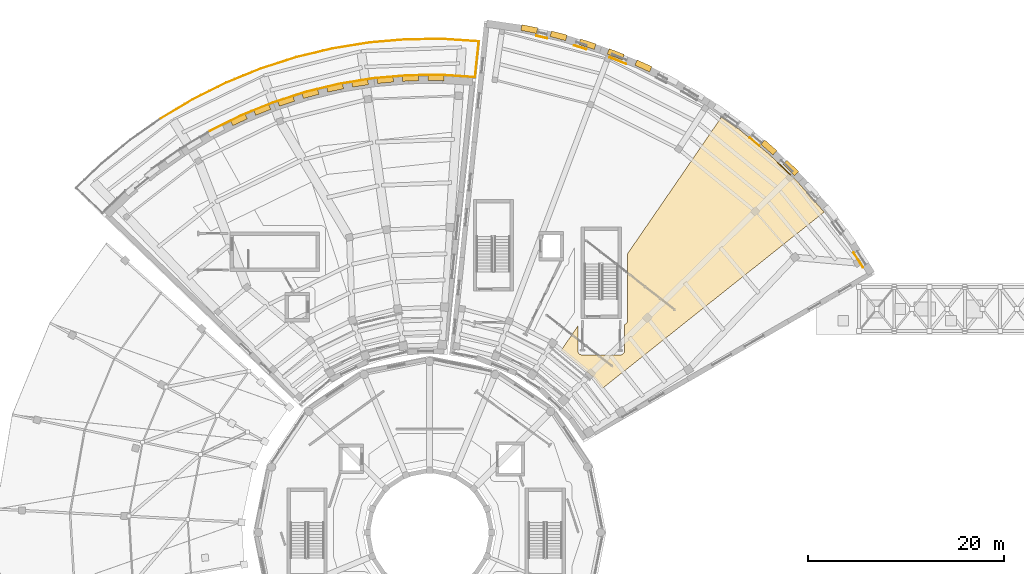
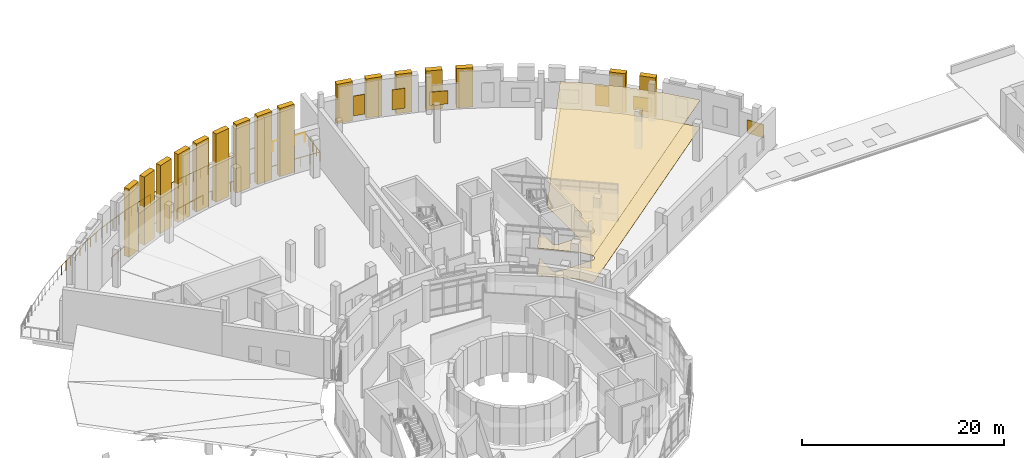
# One storey, part 48 of 49: 24 coverings, 18 railings.
"""IFC4 building model written with IfcOpenShell, lengths in metres."""

import ifcopenshell
import ifcopenshell.guid

model = None  # the IFC model being written
_history = None  # IfcOwnerHistory: only IFC2X3 demands one
_inside = {}  # id of a spatial element -> (the spatial element, [elements in it])
_under = {}  # id of a project, library or spatial element -> (it, [spatial elements below it])
_declared = {}  # id of a project -> (the project, [libraries it declares])
_typed = {}  # id of a type object -> (the type object, [elements of that type])
_made_of = {}  # id of a material, layer set ... -> (it, [elements and type objects made of it])


def new_model(schema):
    """Start an empty IFC model of exactly this schema.

    Asked for "IFC4X3", IfcOpenShell would pick the latest addendum, in which some entities
    have other attributes; the version numbers below select the first issue.
    IFC2X3 requires an IfcOwnerHistory on every rooted entity: one is made here for all.
    """
    global model, _history
    if schema == "IFC4X3":
        model = ifcopenshell.file(schema_version=(4, 3, 0, 0))
    else:
        model = ifcopenshell.file(schema=schema)
    _inside.clear()
    _under.clear()
    _declared.clear()
    _typed.clear()
    _made_of.clear()
    _history = None
    if model.schema == "IFC2X3":
        org = make("IfcOrganization", Name="unknown")
        user = make(
            "IfcPersonAndOrganization",
            ThePerson=make("IfcPerson", FamilyName="unknown"),
            TheOrganization=org,
        )
        app = make(
            "IfcApplication",
            ApplicationDeveloper=org,
            Version="unknown",
            ApplicationFullName="unknown",
            ApplicationIdentifier="unknown",
        )
        _history = make(
            "IfcOwnerHistory",
            OwningUser=user,
            OwningApplication=app,
            ChangeAction="ADDED",
            CreationDate=0,
        )
    return model


def make(cls, **values):
    """One entity of the class cls with the attributes given. An attribute that is None is left unset."""
    return model.create_entity(
        cls, **{name: value for name, value in values.items() if value is not None}
    )


def rooted(cls, **values):
    """An entity with a GlobalId (a new one), such as an element, a storey or a relation."""
    return make(cls, GlobalId=ifcopenshell.guid.new(), OwnerHistory=_history, **values)


def si_unit(unit_type, name, prefix=None):
    """IfcSIUnit, for example si_unit("LENGTHUNIT", "METRE", prefix="MILLI")."""
    return make("IfcSIUnit", UnitType=unit_type, Prefix=prefix, Name=name)


def assignment(units):
    """IfcUnitAssignment: the units of a project."""
    return None if units is None else make("IfcUnitAssignment", Units=units)


def point(xyz):
    """IfcCartesianPoint."""
    return None if xyz is None else make("IfcCartesianPoint", Coordinates=xyz)


def direction(xyz):
    """IfcDirection."""
    return None if xyz is None else make("IfcDirection", DirectionRatios=xyz)


def frame(location, z_axis=None, x_axis=None):
    """IfcAxis2Placement3D, a coordinate frame: its origin and axes. An axis left out is left unset."""
    return make(
        "IfcAxis2Placement3D",
        Location=point(location),
        Axis=direction(z_axis),
        RefDirection=direction(x_axis),
    )


def frame_2d(location, x_axis=None):
    """IfcAxis2Placement2D, a coordinate frame in the plane: its origin and x axis."""
    return make(
        "IfcAxis2Placement2D", Location=point(location), RefDirection=direction(x_axis)
    )


def origin():
    """The frame at (0, 0, 0) with its axes left unset."""
    return frame((0.0, 0.0, 0.0))


def origin_2d():
    """The frame at (0, 0) in the plane with its x axis left unset."""
    return frame_2d((0.0, 0.0))


def place(relative_to, where):
    """IfcLocalPlacement: puts the frame where relative to a parent placement (None: the world)."""
    return make(
        "IfcLocalPlacement", PlacementRelTo=relative_to, RelativePlacement=where
    )


def context(
    kind, dimensions, precision=None, world=None, true_north=None, identifier=None
):
    """IfcGeometricRepresentationContext, for example the 3D "Model" context."""
    return make(
        "IfcGeometricRepresentationContext",
        ContextIdentifier=identifier,
        ContextType=kind,
        CoordinateSpaceDimension=dimensions,
        Precision=precision,
        WorldCoordinateSystem=world,
        TrueNorth=true_north,
    )


def subcontext(parent, identifier, kind, view, scale=None):
    """IfcGeometricRepresentationSubContext, for example "Body" below "Model"."""
    return make(
        "IfcGeometricRepresentationSubContext",
        ContextIdentifier=identifier,
        ContextType=kind,
        ParentContext=parent,
        TargetScale=scale,
        TargetView=view,
    )


def project(units=None, contexts=None):
    """IfcProject with its units and contexts."""
    return rooted(
        "IfcProject",
        Name="project",
        RepresentationContexts=contexts,
        UnitsInContext=assignment(units),
    )


def spatial(cls, under=None, at=None, **own):
    """A site, building, storey or space (cls), placed at a placement, below another one or the project."""
    s = rooted(cls, ObjectPlacement=at, **own)
    if under is not None:
        _under.setdefault(under.id(), (under, []))[1].append(s)
    return s


def polyline(points):
    """IfcPolyline through the points."""
    return make("IfcPolyline", Points=[point(p) for p in points])


def profile(cls, at=None, kind="AREA", **sizes):
    """A parametric profile (cls). Its sizes go by their IFC names, for example OverallWidth=200.0."""
    return make(cls, ProfileType=kind, Position=at, **sizes)


def rectangle(**sizes):
    """IfcRectangleProfileDef."""
    return profile("IfcRectangleProfileDef", **sizes)


def circle(**sizes):
    """IfcCircleProfileDef."""
    return profile("IfcCircleProfileDef", **sizes)


def outline(outer, holes=None, kind="AREA"):
    """IfcArbitraryClosedProfileDef: a profile drawn as a closed curve; with holes, ...WithVoids."""
    if holes is None:
        return make("IfcArbitraryClosedProfileDef", ProfileType=kind, OuterCurve=outer)
    return make(
        "IfcArbitraryProfileDefWithVoids",
        ProfileType=kind,
        OuterCurve=outer,
        InnerCurves=holes,
    )


def extrude(swept, where, along, depth):
    """IfcExtrudedAreaSolid: the profile swept, set in the frame where, extruded along a direction by depth."""
    return make(
        "IfcExtrudedAreaSolid",
        SweptArea=swept,
        Position=where,
        ExtrudedDirection=direction(along),
        Depth=depth,
    )


def shape(context_of_items, identifier, shape_type, items):
    """IfcShapeRepresentation: the items that make up one representation, for example the "Body"."""
    return make(
        "IfcShapeRepresentation",
        ContextOfItems=context_of_items,
        RepresentationIdentifier=identifier,
        RepresentationType=shape_type,
        Items=items,
    )


def material(Name=None, Category=None):
    """IfcMaterial."""
    return make("IfcMaterial", Name=Name, Category=Category)


def layer(
    of_material, thickness, ventilated=None, Name=None, Category=None, Priority=None
):
    """IfcMaterialLayer: one layer of a wall or slab, of a material (None: an air gap)."""
    return make(
        "IfcMaterialLayer",
        Material=of_material,
        LayerThickness=thickness,
        IsVentilated=ventilated,
        Name=Name,
        Category=Category,
        Priority=Priority,
    )


def layer_set(layers, Name=None):
    """IfcMaterialLayerSet."""
    return make("IfcMaterialLayerSet", MaterialLayers=layers, LayerSetName=Name)


def made_of(thing, what):
    """Note that an element or type object is made of a material, layer set ...; save() writes the relation."""
    if what is not None:
        _made_of.setdefault(what.id(), (what, []))[1].append(thing)
    return thing


def type_object(cls, material=None, **own):
    """A type object (cls), such as IfcWallType, which elements share."""
    return made_of(rooted(cls, **own), material)


def element(
    cls,
    number,
    at=None,
    inside=None,
    cuts=None,
    type_object=None,
    material=None,
    context=None,
    identifier="Body",
    shape_type=None,
    held_by="IfcProductDefinitionShape",
    body=None,
    shapes=None,
    **own,
):
    """One element of the class cls, such as IfcWall. Its Tag is "e" and its number.

    at: its placement. inside: the storey or other place that contains it. cuts: it is an
    opening in that element (IfcRelVoidsElement). A single representation is given by context,
    identifier, shape_type and body (its items); several are given by shapes. held_by: the class
    of the entity that holds the representations. save() writes the other relations.
    """
    e = rooted(cls, Tag="e%d" % number, ObjectPlacement=at, **own)
    if body is not None:
        shapes = [shape(context, identifier, shape_type, body)]
    if shapes is not None:
        e.Representation = make(held_by, Representations=shapes)
    if inside is not None:
        _inside.setdefault(inside.id(), (inside, []))[1].append(e)
    if cuts is not None:
        rooted(
            "IfcRelVoidsElement", RelatingBuildingElement=cuts, RelatedOpeningElement=e
        )
    if type_object is not None:
        _typed.setdefault(type_object.id(), (type_object, []))[1].append(e)
    return made_of(e, material)


def aggregate(whole, parts):
    """IfcRelAggregates: a whole, such as a stair, and the parts it consists of."""
    return rooted("IfcRelAggregates", RelatingObject=whole, RelatedObjects=parts)


def save(model, path):
    """Write the relations noted so far, then the file.

    IfcRelAggregates (storeys below a building ...), IfcRelContainedInSpatialStructure (elements
    in a storey), IfcRelDefinesByType, IfcRelAssociatesMaterial and IfcRelDeclares: one each for
    every whole, place, type object, material and project.
    """
    for whole, parts in _under.values():
        aggregate(whole, parts)
    for where, things in _inside.values():
        rooted(
            "IfcRelContainedInSpatialStructure",
            RelatedElements=things,
            RelatingStructure=where,
        )
    for kind, things in _typed.values():
        rooted("IfcRelDefinesByType", RelatedObjects=things, RelatingType=kind)
    for what, things in _made_of.values():
        rooted("IfcRelAssociatesMaterial", RelatedObjects=things, RelatingMaterial=what)
    for by, libraries in _declared.values():
        rooted("IfcRelDeclares", RelatingContext=by, RelatedDefinitions=libraries)
    model.write(path)


model = new_model("IFC4")

# Units and contexts
model_context = context("Model", 3, precision=1e-05, world=origin(), true_north=direction((0.0, 1.0)))
body_context = subcontext(model_context, "Body", "Model", "MODEL_VIEW")
ifc_project = project(units=[si_unit("LENGTHUNIT", "METRE"), si_unit("AREAUNIT", "SQUARE_METRE"), si_unit("VOLUMEUNIT", "CUBIC_METRE"), si_unit("PLANEANGLEUNIT", "RADIAN"), si_unit("MASSUNIT", "GRAM", prefix="KILO")], contexts=[model_context])

# Site, building, storey
site_placement = place(None, origin())
site = spatial("IfcSite", under=ifc_project, at=site_placement, CompositionType="ELEMENT")
building_placement = place(site_placement, origin())
building = spatial("IfcBuilding", under=site, at=building_placement, Name="Soyqirgoq Riverine Aquarium", CompositionType="ELEMENT")
storey_placement = place(building_placement, frame((0.0, 0.0, 15.0)))
storey = spatial("IfcBuildingStorey", under=building, at=storey_placement, Name="L04", CompositionType="ELEMENT", Elevation=15.0)

# Coverings
ifc_material_1 = material(Name="Seamless slip-resistant marine epoxy flooring", Category="concrete")
ifc_layer_1 = layer(ifc_material_1, 0.02001953125)
ifc_layer_set_1 = layer_set([ifc_layer_1], Name="Seamless slip-resistant marine epoxy flooring")
covering_type_1 = type_object("IfcCoveringType", Name="EpoxyWetFloorFinish_20", PredefinedType="FLOORING", material=ifc_layer_set_1)
covering_1_placement = place(storey_placement, origin())
element("IfcCovering", 1, at=covering_1_placement, inside=storey, type_object=covering_type_1, Name="Wet Biology Laboratory Floor Finish", PredefinedType="FLOORING", context=body_context, shape_type="SweptSolid", body=[
    extrude(outline(polyline([(71.110107421875, 75.56005859375), (71.112060546875, 75.51611328125), (71.118896484375, 75.471923828125), (71.12890625, 75.428955078125), (71.14404296875, 75.387939453125), (71.1630859375, 75.347900390625), (71.18603515625, 75.31005859375), (71.2119140625, 75.27490234375), (71.241943359375, 75.241943359375), (71.27490234375, 75.2119140625), (71.31005859375, 75.18603515625), (71.347900390625, 75.1630859375), (71.387939453125, 75.14404296875), (71.428955078125, 75.12890625), (71.471923828125, 75.118896484375), (71.51611328125, 75.112060546875), (71.56005859375, 75.110107421875), (75.43994140625, 75.110107421875), (75.48388671875, 75.112060546875), (75.528076171875, 75.118896484375), (75.571044921875, 75.12890625), (75.612060546875, 75.14404296875), (75.652099609375, 75.1630859375), (75.68994140625, 75.18603515625), (75.72509765625, 75.2119140625), (75.758056640625, 75.241943359375), (75.7880859375, 75.27490234375), (75.81396484375, 75.31005859375), (75.8369140625, 75.347900390625), (75.85595703125, 75.387939453125), (75.87109375, 75.428955078125), (75.881103515625, 75.471923828125), (75.887939453125, 75.51611328125), (75.889892578125, 75.56005859375), (75.889892578125, 78.222900390625), (75.922119140625, 78.23388671875), (75.9619140625, 78.2529296875), (76.0, 78.27587890625), (76.034912109375, 78.302001953125), (76.068115234375, 78.33203125), (76.097900390625, 78.364990234375), (76.1240234375, 78.39990234375), (76.14697265625, 78.43798828125), (76.166015625, 78.47802734375), (76.180908203125, 78.51904296875), (76.19091796875, 78.56201171875), (76.197998046875, 78.60595703125), (76.199951171875, 78.64990234375), (76.199951171875, 85.4560546875), (85.781005859375, 99.39501953125), (87.56396484375, 98.135009765625), (90.694091796875, 95.531982421875), (93.610107421875, 92.69091796875), (96.242919921875, 89.68798828125), (73.592041015625, 71.6708984375), (72.739990234375, 72.81201171875), (72.7060546875, 72.85302734375), (72.6669921875, 72.888916015625), (69.4189453125, 75.590087890625), (71.110107421875, 78.050048828125), (71.110107421875, 75.56005859375)])), origin(), (0.0, 0.0, 1.0), 0.02001953125),
])
ifc_material_2 = material(Name="Anodised aluminium marine moisture-resistant ceiling", Category="aluminium")
ifc_layer_2 = layer(ifc_material_2, 0.0400390625)
ifc_layer_set_2 = layer_set([ifc_layer_2], Name="Anodised aluminium marine moisture-resistant ceiling")
covering_type_2 = type_object("IfcCoveringType", Name="MoistureCeiling_40", PredefinedType="CEILING", material=ifc_layer_set_2)
covering_2_placement = place(storey_placement, frame((0.0, 0.0, 3.260009765625)))
element("IfcCovering", 2, at=covering_2_placement, inside=storey, type_object=covering_type_2, Name="Wet Biology Laboratory Suspended Ceiling", PredefinedType="CEILING", context=body_context, shape_type="SweptSolid", body=[
    extrude(outline(polyline([(71.110107421875, 75.56005859375), (71.112060546875, 75.51611328125), (71.118896484375, 75.471923828125), (71.12890625, 75.428955078125), (71.14404296875, 75.387939453125), (71.1630859375, 75.347900390625), (71.18603515625, 75.31005859375), (71.2119140625, 75.27490234375), (71.241943359375, 75.241943359375), (71.27490234375, 75.2119140625), (71.31005859375, 75.18603515625), (71.347900390625, 75.1630859375), (71.387939453125, 75.14404296875), (71.428955078125, 75.12890625), (71.471923828125, 75.118896484375), (71.51611328125, 75.112060546875), (71.56005859375, 75.110107421875), (75.43994140625, 75.110107421875), (75.48388671875, 75.112060546875), (75.528076171875, 75.118896484375), (75.571044921875, 75.12890625), (75.612060546875, 75.14404296875), (75.652099609375, 75.1630859375), (75.68994140625, 75.18603515625), (75.72509765625, 75.2119140625), (75.758056640625, 75.241943359375), (75.7880859375, 75.27490234375), (75.81396484375, 75.31005859375), (75.8369140625, 75.347900390625), (75.85595703125, 75.387939453125), (75.87109375, 75.428955078125), (75.881103515625, 75.471923828125), (75.887939453125, 75.51611328125), (75.889892578125, 75.56005859375), (75.889892578125, 78.222900390625), (75.922119140625, 78.23388671875), (75.9619140625, 78.2529296875), (76.0, 78.27587890625), (76.034912109375, 78.302001953125), (76.068115234375, 78.33203125), (76.097900390625, 78.364990234375), (76.1240234375, 78.39990234375), (76.14697265625, 78.43798828125), (76.166015625, 78.47802734375), (76.180908203125, 78.51904296875), (76.19091796875, 78.56201171875), (76.197998046875, 78.60595703125), (76.199951171875, 78.64990234375), (76.199951171875, 85.4560546875), (85.781005859375, 99.39501953125), (87.56396484375, 98.135009765625), (90.694091796875, 95.531982421875), (93.610107421875, 92.69091796875), (96.242919921875, 89.68798828125), (73.592041015625, 71.6708984375), (72.739990234375, 72.81201171875), (72.7060546875, 72.85302734375), (72.6669921875, 72.888916015625), (69.4189453125, 75.590087890625), (71.110107421875, 78.050048828125), (71.110107421875, 75.56005859375)])), origin(), (0.0, 0.0, 1.0), 0.0400390625),
])
ifc_material_3 = material(Name="Anodised extruded aluminium sunshade", Category="aluminium")
covering_type_3 = type_object("IfcCoveringType", Name="SolarShadingLouvre_450", PredefinedType="USERDEFINED", material=ifc_material_3)
covering_3_placement = place(storey_placement, frame((67.436279296875, 107.541748046875, 0.75), z_axis=(0.0, 0.0, 1.0), x_axis=(0.975342320509, -0.220697435022, 0.0)))
element("IfcCovering", 3, at=covering_3_placement, inside=storey, type_object=covering_type_3, Name="V5 L04 Travertine Niche Solar Shade 0096", ObjectType="SOLAR_SHADING", PredefinedType="USERDEFINED", context=body_context, shape_type="SweptSolid", body=[
    extrude(rectangle(XDim=1.139892578125, YDim=0.080078125, at=origin_2d()), origin(), (0.0, 0.0, 1.0), 2.39990234375),
])
covering_4_placement = place(storey_placement, frame((71.36669921875, 106.48876953125, 0.75), z_axis=(0.0, 0.0, 1.0), x_axis=(0.955019944457, -0.296541574976, 0.0)))
element("IfcCovering", 4, at=covering_4_placement, inside=storey, type_object=covering_type_3, Name="V5 L04 Travertine Niche Solar Shade 0097", ObjectType="SOLAR_SHADING", PredefinedType="USERDEFINED", context=body_context, shape_type="SweptSolid", body=[
    extrude(rectangle(XDim=1.340087890625, YDim=0.080078125, at=origin_2d()), origin(), (0.0, 0.0, 1.0), 2.39990234375),
])
covering_5_placement = place(storey_placement, frame((75.2021484375, 105.130615234375, 0.75), z_axis=(0.0, 0.0, 1.0), x_axis=(0.928809552872, -0.37055743751, 0.0)))
element("IfcCovering", 5, at=covering_5_placement, inside=storey, type_object=covering_type_3, Name="V5 L04 Travertine Niche Solar Shade 0098", ObjectType="SOLAR_SHADING", PredefinedType="USERDEFINED", context=body_context, shape_type="SweptSolid", body=[
    extrude(rectangle(XDim=1.840087890625, YDim=0.080078125, at=origin_2d()), origin(), (0.0, 0.0, 1.0), 1.60009765625),
])
covering_6_placement = place(storey_placement, frame((89.135498046875, 96.841064453125, 0.75), z_axis=(0.0, 0.0, 1.0), x_axis=(0.768841832073, -0.639439001981, 0.0)))
element("IfcCovering", 6, at=covering_6_placement, inside=storey, type_object=covering_type_3, Name="V5 L04 Travertine Niche Solar Shade 0102", ObjectType="SOLAR_SHADING", PredefinedType="USERDEFINED", context=body_context, shape_type="SweptSolid", body=[
    extrude(rectangle(XDim=1.340087890625, YDim=0.080078125, at=origin_2d()), origin(), (0.0, 0.0, 1.0), 2.39990234375),
])
for number, where, z_axis, x_axis, name in (
    (7, (92.1591796875, 94.118408203125, 0.75), (0.0, 0.0, 1.0), (0.716301943425, -0.697790459842, 0.0), "V5 L04 Travertine Niche Solar Shade 0103"),
    (8, (99.72900390625, 84.803955078125, 0.75), (0.0, 0.0, 1.0), (0.533614515916, -0.845727821704, 0.0), "V5 L04 Travertine Niche Solar Shade 0106"),
):
    element("IfcCovering", number, at=place(storey_placement, frame(where, z_axis=z_axis, x_axis=x_axis)), inside=storey, type_object=covering_type_3, Name=name, ObjectType="SOLAR_SHADING", PredefinedType="USERDEFINED", context=body_context, shape_type="SweptSolid", body=[
        extrude(rectangle(XDim=1.840087890625, YDim=0.080078125, at=origin_2d()), origin(), (0.0, 0.0, 1.0), 1.60009765625),
    ])

# Railings
ifc_material_4 = material(Name="Laminated safety glass and stainless steel balustrade", Category="steel")
railing_type = type_object("IfcRailingType", Name="TerraceGuard_1150", PredefinedType="BALUSTRADE", material=ifc_material_4)
railing_1_placement = place(storey_placement, frame((53.82763671875, 103.639404296875, 0.0)))
element("IfcRailing", 9, at=railing_1_placement, inside=storey, type_object=railing_type, Name="V4 L04 Terrace Perimeter Balustrade 032", PredefinedType="BALUSTRADE", context=body_context, shape_type="SweptSolid", body=[
    extrude(circle(Radius=0.02392578125, at=origin_2d()), frame((0.0, 0.0, 1.1259765625), z_axis=(-0.996446330145, -0.084230108274, 0.0), x_axis=(0.084230108274, -0.996446330145, 0.0)), (0.0, 0.0, 1.0), 3.5302734375),
    extrude(circle(Radius=0.02099609375, at=origin_2d()), origin(), (0.0, 0.0, 1.0), 1.101806640625),
    extrude(circle(Radius=0.02099609375, at=origin_2d()), frame((-1.172607421875, -0.09912109375, 0.0)), (0.0, 0.0, 1.0), 1.101806640625),
    extrude(circle(Radius=0.02099609375, at=origin_2d()), frame((-2.34521484375, -0.1982421875, 0.0)), (0.0, 0.0, 1.0), 1.101806640625),
    extrude(circle(Radius=0.02099609375, at=origin_2d()), frame((-3.517822265625, -0.29736328125, 0.0)), (0.0, 0.0, 1.0), 1.101806640625),
])
railing_2_placement = place(storey_placement, frame((50.309814453125, 103.342041015625, 0.0)))
element("IfcRailing", 10, at=railing_2_placement, inside=storey, type_object=railing_type, Name="V4 L04 Terrace Perimeter Balustrade 033", PredefinedType="BALUSTRADE", context=body_context, shape_type="SweptSolid", body=[
    extrude(circle(Radius=0.02392578125, at=origin_2d()), frame((0.0, 0.0, 1.1259765625), z_axis=(-0.987234807313, -0.15927157697, 0.0), x_axis=(0.15927157697, -0.987234807313, 0.0)), (0.0, 0.0, 1.0), 3.5302734375),
    extrude(circle(Radius=0.02099609375, at=origin_2d()), origin(), (0.0, 0.0, 1.0), 1.101806640625),
    extrude(circle(Radius=0.02099609375, at=origin_2d()), frame((-1.16162109375, -0.1875, 0.0)), (0.0, 0.0, 1.0), 1.101806640625),
    extrude(circle(Radius=0.02099609375, at=origin_2d()), frame((-2.323486328125, -0.374755859375, 0.0)), (0.0, 0.0, 1.0), 1.101806640625),
    extrude(circle(Radius=0.02099609375, at=origin_2d()), frame((-3.485107421875, -0.562255859375, 0.0)), (0.0, 0.0, 1.0), 1.101806640625),
])
railing_3_placement = place(storey_placement, frame((46.82470703125, 102.77978515625, 0.0)))
element("IfcRailing", 11, at=railing_3_placement, inside=storey, type_object=railing_type, Name="V4 L04 Terrace Perimeter Balustrade 034", PredefinedType="BALUSTRADE", context=body_context, shape_type="SweptSolid", body=[
    extrude(circle(Radius=0.02392578125, at=origin_2d()), frame((0.0, 0.0, 1.1259765625), z_axis=(-0.972365955564, -0.233461877959, 0.0), x_axis=(0.233461877959, -0.972365955564, 0.0)), (0.0, 0.0, 1.0), 3.530517578125),
    extrude(circle(Radius=0.02099609375, at=origin_2d()), origin(), (0.0, 0.0, 1.0), 1.101806640625),
    extrude(circle(Radius=0.02099609375, at=origin_2d()), frame((-1.144287109375, -0.274658203125, 0.0)), (0.0, 0.0, 1.0), 1.101806640625),
    extrude(circle(Radius=0.02099609375, at=origin_2d()), frame((-2.28857421875, -0.549560546875, 0.0)), (0.0, 0.0, 1.0), 1.101806640625),
    extrude(circle(Radius=0.02099609375, at=origin_2d()), frame((-3.432861328125, -0.82421875, 0.0)), (0.0, 0.0, 1.0), 1.101806640625),
])
railing_4_placement = place(storey_placement, frame((43.391845703125, 101.95556640625, 0.0)))
element("IfcRailing", 12, at=railing_4_placement, inside=storey, type_object=railing_type, Name="V4 L04 Terrace Perimeter Balustrade 035", PredefinedType="BALUSTRADE", context=body_context, shape_type="SweptSolid", body=[
    extrude(circle(Radius=0.02392578125, at=origin_2d()), frame((0.0, 0.0, 1.1259765625), z_axis=(-0.951963783736, -0.306210637395, 0.0), x_axis=(0.306210637395, -0.951963783736, 0.0)), (0.0, 0.0, 1.0), 3.530517578125),
    extrude(circle(Radius=0.02099609375, at=origin_2d()), origin(), (0.0, 0.0, 1.0), 1.101806640625),
    extrude(circle(Radius=0.02099609375, at=origin_2d()), frame((-1.120361328125, -0.3603515625, 0.0)), (0.0, 0.0, 1.0), 1.101806640625),
    extrude(circle(Radius=0.02099609375, at=origin_2d()), frame((-2.240478515625, -0.720703125, 0.0)), (0.0, 0.0, 1.0), 1.101806640625),
    extrude(circle(Radius=0.02099609375, at=origin_2d()), frame((-3.36083984375, -1.0810546875, 0.0)), (0.0, 0.0, 1.0), 1.101806640625),
])
railing_5_placement = place(storey_placement, frame((40.031005859375, 100.87451171875, 0.0)))
element("IfcRailing", 13, at=railing_5_placement, inside=storey, type_object=railing_type, Name="V4 L04 Terrace Perimeter Balustrade 036", PredefinedType="BALUSTRADE", context=body_context, shape_type="SweptSolid", body=[
    extrude(circle(Radius=0.02392578125, at=origin_2d()), frame((0.0, 0.0, 1.1259765625), z_axis=(-0.92608251474, -0.377321051484, 0.0), x_axis=(0.377321051484, -0.92608251474, 0.0)), (0.0, 0.0, 1.0), 3.5302734375),
    extrude(circle(Radius=0.02099609375, at=origin_2d()), origin(), (0.0, 0.0, 1.0), 1.101806640625),
    extrude(circle(Radius=0.02099609375, at=origin_2d()), frame((-1.08984375, -0.444091796875, 0.0)), (0.0, 0.0, 1.0), 1.101806640625),
    extrude(circle(Radius=0.02099609375, at=origin_2d()), frame((-2.179443359375, -0.887939453125, 0.0)), (0.0, 0.0, 1.0), 1.101806640625),
    extrude(circle(Radius=0.02099609375, at=origin_2d()), frame((-3.269287109375, -1.33203125, 0.0)), (0.0, 0.0, 1.0), 1.101806640625),
])
railing_6_placement = place(storey_placement, frame((36.76171875, 99.54248046875, 0.0)))
element("IfcRailing", 14, at=railing_6_placement, inside=storey, type_object=railing_type, Name="V4 L04 Terrace Perimeter Balustrade 037", PredefinedType="BALUSTRADE", context=body_context, shape_type="SweptSolid", body=[
    extrude(circle(Radius=0.02392578125, at=origin_2d()), frame((0.0, 0.0, 1.1259765625), z_axis=(-0.894910738987, -0.446245189605, 0.0), x_axis=(0.446245189605, -0.894910738987, 0.0)), (0.0, 0.0, 1.0), 3.530517578125),
    extrude(circle(Radius=0.02099609375, at=origin_2d()), origin(), (0.0, 0.0, 1.0), 1.101806640625),
    extrude(circle(Radius=0.02099609375, at=origin_2d()), frame((-1.05322265625, -0.525146484375, 0.0)), (0.0, 0.0, 1.0), 1.101806640625),
    extrude(circle(Radius=0.02099609375, at=origin_2d()), frame((-2.106201171875, -1.05029296875, 0.0)), (0.0, 0.0, 1.0), 1.101806640625),
    extrude(circle(Radius=0.02099609375, at=origin_2d()), frame((-3.159423828125, -1.575439453125, 0.0)), (0.0, 0.0, 1.0), 1.101806640625),
])
railing_7_placement = place(storey_placement, frame((28.572021484375, 99.2353515625, 0.0)))
element("IfcRailing", 15, at=railing_7_placement, inside=storey, type_object=railing_type, Name="V4 L04 Terrace Perimeter Balustrade 047", PredefinedType="BALUSTRADE", context=body_context, shape_type="SweptSolid", body=[
    extrude(circle(Radius=0.02392578125, at=origin_2d()), frame((0.0, 0.0, 1.1259765625), z_axis=(0.8586729911, 0.512523847596, 0.0), x_axis=(-0.512523847596, 0.8586729911, 0.0)), (0.0, 0.0, 1.0), 3.807861328125),
    extrude(circle(Radius=0.02099609375, at=origin_2d()), origin(), (0.0, 0.0, 1.0), 1.101806640625),
    extrude(circle(Radius=0.02099609375, at=origin_2d()), frame((0.8173828125, 0.48779296875, 0.0)), (0.0, 0.0, 1.0), 1.101806640625),
    extrude(circle(Radius=0.02099609375, at=origin_2d()), frame((1.634765625, 0.975830078125, 0.0)), (0.0, 0.0, 1.0), 1.101806640625),
    extrude(circle(Radius=0.02099609375, at=origin_2d()), frame((2.452392578125, 1.4638671875, 0.0)), (0.0, 0.0, 1.0), 1.101806640625),
    extrude(circle(Radius=0.02099609375, at=origin_2d()), frame((3.269775390625, 1.95166015625, 0.0)), (0.0, 0.0, 1.0), 1.101806640625),
])
railing_8_placement = place(storey_placement, frame((31.841796875, 101.18701171875, 0.0)))
element("IfcRailing", 16, at=railing_8_placement, inside=storey, type_object=railing_type, Name="V4 L04 Terrace Perimeter Balustrade 048", PredefinedType="BALUSTRADE", context=body_context, shape_type="SweptSolid", body=[
    extrude(circle(Radius=0.02392578125, at=origin_2d()), frame((0.0, 0.0, 1.1259765625), z_axis=(0.894939535509, 0.446187435708, 0.0), x_axis=(-0.446187435708, 0.894939535509, 0.0)), (0.0, 0.0, 1.0), 3.807861328125),
    extrude(circle(Radius=0.02099609375, at=origin_2d()), origin(), (0.0, 0.0, 1.0), 1.101806640625),
    extrude(circle(Radius=0.02099609375, at=origin_2d()), frame((0.85205078125, 0.4248046875, 0.0)), (0.0, 0.0, 1.0), 1.101806640625),
    extrude(circle(Radius=0.02099609375, at=origin_2d()), frame((1.703857421875, 0.849609375, 0.0)), (0.0, 0.0, 1.0), 1.101806640625),
    extrude(circle(Radius=0.02099609375, at=origin_2d()), frame((2.5556640625, 1.274169921875, 0.0)), (0.0, 0.0, 1.0), 1.101806640625),
    extrude(circle(Radius=0.02099609375, at=origin_2d()), frame((3.40771484375, 1.698974609375, 0.0)), (0.0, 0.0, 1.0), 1.101806640625),
])
railing_9_placement = place(storey_placement, frame((35.24951171875, 102.885986328125, 0.0)))
element("IfcRailing", 17, at=railing_9_placement, inside=storey, type_object=railing_type, Name="V4 L04 Terrace Perimeter Balustrade 049", PredefinedType="BALUSTRADE", context=body_context, shape_type="SweptSolid", body=[
    extrude(circle(Radius=0.02392578125, at=origin_2d()), frame((0.0, 0.0, 1.1259765625), z_axis=(0.926083232479, 0.377319289888, 0.0), x_axis=(-0.377319289888, 0.926083232479, 0.0)), (0.0, 0.0, 1.0), 3.807861328125),
    extrude(circle(Radius=0.02099609375, at=origin_2d()), origin(), (0.0, 0.0, 1.0), 1.101806640625),
    extrude(circle(Radius=0.02099609375, at=origin_2d()), frame((0.881591796875, 0.359130859375, 0.0)), (0.0, 0.0, 1.0), 1.101806640625),
    extrude(circle(Radius=0.02099609375, at=origin_2d()), frame((1.76318359375, 0.71826171875, 0.0)), (0.0, 0.0, 1.0), 1.101806640625),
    extrude(circle(Radius=0.02099609375, at=origin_2d()), frame((2.644775390625, 1.07763671875, 0.0)), (0.0, 0.0, 1.0), 1.101806640625),
    extrude(circle(Radius=0.02099609375, at=origin_2d()), frame((3.5263671875, 1.436767578125, 0.0)), (0.0, 0.0, 1.0), 1.101806640625),
])
railing_10_placement = place(storey_placement, frame((38.77587890625, 104.32275390625, 0.0)))
element("IfcRailing", 18, at=railing_10_placement, inside=storey, type_object=railing_type, Name="V4 L04 Terrace Perimeter Balustrade 050", PredefinedType="BALUSTRADE", context=body_context, shape_type="SweptSolid", body=[
    extrude(circle(Radius=0.02392578125, at=origin_2d()), frame((0.0, 0.0, 1.1259765625), z_axis=(0.951945809966, 0.306266509577, 0.0), x_axis=(-0.306266509577, 0.951945809966, 0.0)), (0.0, 0.0, 1.0), 3.80810546875),
    extrude(circle(Radius=0.02099609375, at=origin_2d()), origin(), (0.0, 0.0, 1.0), 1.101806640625),
    extrude(circle(Radius=0.02099609375, at=origin_2d()), frame((0.90625, 0.29150390625, 0.0)), (0.0, 0.0, 1.0), 1.101806640625),
    extrude(circle(Radius=0.02099609375, at=origin_2d()), frame((1.8125, 0.5830078125, 0.0)), (0.0, 0.0, 1.0), 1.101806640625),
    extrude(circle(Radius=0.02099609375, at=origin_2d()), frame((2.71875, 0.874755859375, 0.0)), (0.0, 0.0, 1.0), 1.101806640625),
    extrude(circle(Radius=0.02099609375, at=origin_2d()), frame((3.625, 1.166259765625, 0.0)), (0.0, 0.0, 1.0), 1.101806640625),
])
railing_11_placement = place(storey_placement, frame((42.40087890625, 105.489013671875, 0.0)))
element("IfcRailing", 19, at=railing_11_placement, inside=storey, type_object=railing_type, Name="V4 L04 Terrace Perimeter Balustrade 051", PredefinedType="BALUSTRADE", context=body_context, shape_type="SweptSolid", body=[
    extrude(circle(Radius=0.02392578125, at=origin_2d()), frame((0.0, 0.0, 1.1259765625), z_axis=(0.972370421924, 0.23344327484, 0.0), x_axis=(-0.23344327484, 0.972370421924, 0.0)), (0.0, 0.0, 1.0), 3.807861328125),
    extrude(circle(Radius=0.02099609375, at=origin_2d()), origin(), (0.0, 0.0, 1.0), 1.101806640625),
    extrude(circle(Radius=0.02099609375, at=origin_2d()), frame((0.92578125, 0.22216796875, 0.0)), (0.0, 0.0, 1.0), 1.101806640625),
    extrude(circle(Radius=0.02099609375, at=origin_2d()), frame((1.851318359375, 0.4443359375, 0.0)), (0.0, 0.0, 1.0), 1.101806640625),
    extrude(circle(Radius=0.02099609375, at=origin_2d()), frame((2.77685546875, 0.666748046875, 0.0)), (0.0, 0.0, 1.0), 1.101806640625),
    extrude(circle(Radius=0.02099609375, at=origin_2d()), frame((3.70263671875, 0.888916015625, 0.0)), (0.0, 0.0, 1.0), 1.101806640625),
])
railing_12_placement = place(storey_placement, frame((46.103515625, 106.3779296875, 0.0)))
element("IfcRailing", 20, at=railing_12_placement, inside=storey, type_object=railing_type, Name="V4 L04 Terrace Perimeter Balustrade 052", PredefinedType="BALUSTRADE", context=body_context, shape_type="SweptSolid", body=[
    extrude(circle(Radius=0.02392578125, at=origin_2d()), frame((0.0, 0.0, 1.1259765625), z_axis=(0.987226486082, 0.159323147026, 0.0), x_axis=(-0.159323147026, 0.987226486082, 0.0)), (0.0, 0.0, 1.0), 3.807861328125),
    extrude(circle(Radius=0.02099609375, at=origin_2d()), origin(), (0.0, 0.0, 1.0), 1.101806640625),
    extrude(circle(Radius=0.02099609375, at=origin_2d()), frame((0.93994140625, 0.151611328125, 0.0)), (0.0, 0.0, 1.0), 1.101806640625),
    extrude(circle(Radius=0.02099609375, at=origin_2d()), frame((1.879638671875, 0.30322265625, 0.0)), (0.0, 0.0, 1.0), 1.101806640625),
    extrude(circle(Radius=0.02099609375, at=origin_2d()), frame((2.8193359375, 0.455078125, 0.0)), (0.0, 0.0, 1.0), 1.101806640625),
    extrude(circle(Radius=0.02099609375, at=origin_2d()), frame((3.75927734375, 0.606689453125, 0.0)), (0.0, 0.0, 1.0), 1.101806640625),
])
railing_13_placement = place(storey_placement, frame((49.86279296875, 106.984619140625, 0.0)))
element("IfcRailing", 21, at=railing_13_placement, inside=storey, type_object=railing_type, Name="V4 L04 Terrace Perimeter Balustrade 053", PredefinedType="BALUSTRADE", context=body_context, shape_type="SweptSolid", body=[
    extrude(circle(Radius=0.02392578125, at=origin_2d()), frame((0.0, 0.0, 1.1259765625), z_axis=(0.996444653792, 0.084249937268, 0.0), x_axis=(-0.084249937268, 0.996444653792, 0.0)), (0.0, 0.0, 1.0), 3.8076171875),
    extrude(circle(Radius=0.02099609375, at=origin_2d()), origin(), (0.0, 0.0, 1.0), 1.101806640625),
    extrude(circle(Radius=0.02099609375, at=origin_2d()), frame((0.948486328125, 0.080078125, 0.0)), (0.0, 0.0, 1.0), 1.101806640625),
    extrude(circle(Radius=0.02099609375, at=origin_2d()), frame((1.89697265625, 0.160400390625, 0.0)), (0.0, 0.0, 1.0), 1.101806640625),
    extrude(circle(Radius=0.02099609375, at=origin_2d()), frame((2.845703125, 0.24072265625, 0.0)), (0.0, 0.0, 1.0), 1.101806640625),
    extrude(circle(Radius=0.02099609375, at=origin_2d()), frame((3.794189453125, 0.32080078125, 0.0)), (0.0, 0.0, 1.0), 1.101806640625),
])
railing_14_placement = place(storey_placement, frame((53.656982421875, 107.305419921875, 0.0)))
element("IfcRailing", 22, at=railing_14_placement, inside=storey, type_object=railing_type, Name="V4 L04 Terrace Perimeter Balustrade 054", PredefinedType="BALUSTRADE", context=body_context, shape_type="SweptSolid", body=[
    extrude(circle(Radius=0.02392578125, at=origin_2d()), frame((0.0, 0.0, 1.1259765625), z_axis=(0.999961981358, 0.008719853133, 0.0), x_axis=(-0.008719853133, 0.999961981358, 0.0)), (0.0, 0.0, 1.0), 3.807861328125),
    extrude(circle(Radius=0.02099609375, at=origin_2d()), origin(), (0.0, 0.0, 1.0), 1.101806640625),
    extrude(circle(Radius=0.02099609375, at=origin_2d()), frame((0.951904296875, 0.00830078125, 0.0)), (0.0, 0.0, 1.0), 1.101806640625),
    extrude(circle(Radius=0.02099609375, at=origin_2d()), frame((1.90380859375, 0.0166015625, 0.0)), (0.0, 0.0, 1.0), 1.101806640625),
    extrude(circle(Radius=0.02099609375, at=origin_2d()), frame((2.855712890625, 0.02490234375, 0.0)), (0.0, 0.0, 1.0), 1.101806640625),
    extrude(circle(Radius=0.02099609375, at=origin_2d()), frame((3.8076171875, 0.033203125, 0.0)), (0.0, 0.0, 1.0), 1.101806640625),
])
railing_15_placement = place(storey_placement, frame((57.464599609375, 107.338623046875, 0.0)))
element("IfcRailing", 23, at=railing_15_placement, inside=storey, type_object=railing_type, Name="V4 L04 Terrace Perimeter Balustrade 055", PredefinedType="BALUSTRADE", context=body_context, shape_type="SweptSolid", body=[
    extrude(circle(Radius=0.02392578125, at=origin_2d()), frame((0.0, 0.0, 1.1259765625), z_axis=(0.99776385232, -0.066837826146, 0.0), x_axis=(0.066837826146, 0.99776385232, 0.0)), (0.0, 0.0, 1.0), 3.557861328125),
    extrude(circle(Radius=0.02099609375, at=origin_2d()), origin(), (0.0, 0.0, 1.0), 1.101806640625),
    extrude(circle(Radius=0.02099609375, at=origin_2d()), frame((1.183349609375, -0.079345703125, 0.0)), (0.0, 0.0, 1.0), 1.101806640625),
    extrude(circle(Radius=0.02099609375, at=origin_2d()), frame((2.366455078125, -0.158447265625, 0.0)), (0.0, 0.0, 1.0), 1.101806640625),
    extrude(circle(Radius=0.02099609375, at=origin_2d()), frame((3.5498046875, -0.23779296875, 0.0)), (0.0, 0.0, 1.0), 1.101806640625),
])
railing_16_placement = place(storey_placement, frame((61.014404296875, 107.100830078125, 0.0)))
element("IfcRailing", 24, at=railing_16_placement, inside=storey, type_object=railing_type, Name="V4 L04 Terrace Perimeter Balustrade 056", PredefinedType="BALUSTRADE", context=body_context, shape_type="SweptSolid", body=[
    extrude(circle(Radius=0.02392578125, at=origin_2d()), frame((0.0, 0.0, 1.1259765625), z_axis=(-0.10451509167, -0.994523300689, 0.0), x_axis=(0.994523300689, -0.10451509167, 0.0)), (0.0, 0.0, 1.0), 3.669677734375),
    extrude(circle(Radius=0.02099609375, at=origin_2d()), origin(), (0.0, 0.0, 1.0), 1.101806640625),
    extrude(circle(Radius=0.02099609375, at=origin_2d()), frame((-0.095947265625, -0.912353515625, 0.0)), (0.0, 0.0, 1.0), 1.101806640625),
    extrude(circle(Radius=0.02099609375, at=origin_2d()), frame((-0.19189453125, -1.82470703125, 0.0)), (0.0, 0.0, 1.0), 1.101806640625),
    extrude(circle(Radius=0.02099609375, at=origin_2d()), frame((-0.28759765625, -2.7373046875, 0.0)), (0.0, 0.0, 1.0), 1.101806640625),
    extrude(circle(Radius=0.02099609375, at=origin_2d()), frame((-0.383544921875, -3.649658203125, 0.0)), (0.0, 0.0, 1.0), 1.101806640625),
])
railing_17_placement = place(storey_placement, frame((60.630859375, 103.451171875, 0.0)))
element("IfcRailing", 25, at=railing_17_placement, inside=storey, type_object=railing_type, Name="V4 L04 Terrace Perimeter Balustrade 057", PredefinedType="BALUSTRADE", context=body_context, shape_type="SweptSolid", body=[
    extrude(circle(Radius=0.02392578125, at=origin_2d()), frame((0.0, 0.0, 1.1259765625), z_axis=(-0.99776403119, 0.066835155901, 0.0), x_axis=(-0.066835155901, -0.99776403119, 0.0)), (0.0, 0.0, 1.0), 3.2802734375),
    extrude(circle(Radius=0.02099609375, at=origin_2d()), origin(), (0.0, 0.0, 1.0), 1.101806640625),
    extrude(circle(Radius=0.02099609375, at=origin_2d()), frame((-1.091064453125, 0.072998046875, 0.0)), (0.0, 0.0, 1.0), 1.101806640625),
    extrude(circle(Radius=0.02099609375, at=origin_2d()), frame((-2.181884765625, 0.146240234375, 0.0)), (0.0, 0.0, 1.0), 1.101806640625),
    extrude(circle(Radius=0.02099609375, at=origin_2d()), frame((-3.27294921875, 0.21923828125, 0.0)), (0.0, 0.0, 1.0), 1.101806640625),
])
railing_18_placement = place(storey_placement, frame((57.35791015625, 103.67041015625, 0.0)))
element("IfcRailing", 26, at=railing_18_placement, inside=storey, type_object=railing_type, Name="V4 L04 Terrace Perimeter Balustrade 058", PredefinedType="BALUSTRADE", context=body_context, shape_type="SweptSolid", body=[
    extrude(circle(Radius=0.02392578125, at=origin_2d()), frame((0.0, 0.0, 1.1259765625), z_axis=(-0.999961433011, -0.008782510511, 0.0), x_axis=(0.008782510511, -0.999961433011, 0.0)), (0.0, 0.0, 1.0), 3.530517578125),
    extrude(circle(Radius=0.02099609375, at=origin_2d()), origin(), (0.0, 0.0, 1.0), 1.101806640625),
    extrude(circle(Radius=0.02099609375, at=origin_2d()), frame((-1.1767578125, -0.01025390625, 0.0)), (0.0, 0.0, 1.0), 1.101806640625),
    extrude(circle(Radius=0.02099609375, at=origin_2d()), frame((-2.353515625, -0.020751953125, 0.0)), (0.0, 0.0, 1.0), 1.101806640625),
    extrude(circle(Radius=0.02099609375, at=origin_2d()), frame((-3.5302734375, -0.031005859375, 0.0)), (0.0, 0.0, 1.0), 1.101806640625),
])

# Coverings
ifc_material_5 = material(Name="Honed Uzbek travertine limestone vertical niche pier", Category="masonry")
covering_type_4 = type_object("IfcCoveringType", Name="TravertineNichePier_550", PredefinedType="CLADDING", material=ifc_material_5)
for number, where, z_axis, x_axis, name in (
    (27, (56.647705078125, 103.3955078125, 0.0), (0.0, 0.0, 1.0), (0.013962180339, 0.999902524009, 0.0), "V4 L04 Travertine Vertical Niche Pier 104"),
    (28, (54.056884765625, 103.359375, 0.0), (0.0, 0.0, 1.0), (-0.041875653729, 0.999122830099, 0.0), "V4 L04 Travertine Vertical Niche Pier 105"),
    (29, (51.47216796875, 103.1787109375, 0.0), (0.0, 0.0, 1.0), (-0.097582899759, 0.995227399982, 0.0), "V4 L04 Travertine Vertical Niche Pier 106"),
    (30, (48.901611328125, 102.853759765625, 0.0), (0.0, 0.0, 1.0), (-0.152985836284, 0.988228381447, 0.0), "V4 L04 Travertine Vertical Niche Pier 107"),
    (31, (46.352783203125, 102.385986328125, 0.0), (0.0, 0.0, 1.0), (-0.207911690818, 0.978147600734, 0.0), "V4 L04 Travertine Vertical Niche Pier 108"),
    (32, (43.83447265625, 101.77685546875, 0.0), (0.0, 0.0, 1.0), (-0.262189178641, 0.965016494472, 0.0), "V4 L04 Travertine Vertical Niche Pier 109"),
    (33, (41.35400390625, 101.02783203125, 0.0), (0.0, 0.0, 1.0), (-0.315649036947, 0.948876011644, 0.0), "V4 L04 Travertine Vertical Niche Pier 110"),
    (34, (38.9189453125, 100.1416015625, 0.0), (0.0, 0.0, 1.0), (-0.368124552685, 0.929776485888, 0.0), "V4 L04 Travertine Vertical Niche Pier 111"),
    (35, (36.537353515625, 99.120849609375, 0.0), (0.0, 0.0, 1.0), (-0.419452082446, 0.907777478533, 0.0), "V4 L04 Travertine Vertical Niche Pier 112"),
):
    element("IfcCovering", number, at=place(storey_placement, frame(where, z_axis=z_axis, x_axis=x_axis)), inside=storey, type_object=covering_type_4, Name=name, PredefinedType="CLADDING", context=body_context, shape_type="SweptSolid", body=[
        extrude(rectangle(XDim=0.60009765625, YDim=1.64990234375, at=origin_2d()), origin(), (0.0, 0.0, 1.0), 8.25),
    ])
for number, where, z_axis, x_axis, name in (
    (36, (92.84765625, 94.185546875, 0.0), (0.0, 0.0, 1.0), (0.703890763003, 0.710308238555, 0.0), "V5 L04 Travertine Vertical Niche Pier 160"),
    (37, (90.609130859375, 96.277587890625, 0.0), (0.0, 0.0, 1.0), (0.661049986881, 0.750341865315, 0.0), "V5 L04 Travertine Vertical Niche Pier 161"),
    (38, (77.80517578125, 104.5927734375, 0.0), (0.0, 0.0, 1.0), (0.416598150168, 0.909090744247, 0.0), "V5 L04 Travertine Vertical Niche Pier 166"),
    (39, (74.9833984375, 105.786865234375, 0.0), (0.0, 0.0, 1.0), (0.362600698822, 0.931944597717, 0.0), "V5 L04 Travertine Vertical Niche Pier 167"),
    (40, (72.0966796875, 106.813720703125, 0.0), (0.0, 0.0, 1.0), (0.307522697673, 0.951540745537, 0.0), "V5 L04 Travertine Vertical Niche Pier 168"),
    (41, (69.155029296875, 107.670166015625, 0.0), (0.0, 0.0, 1.0), (0.251224776808, 0.96792877399, 0.0), "V5 L04 Travertine Vertical Niche Pier 169"),
    (42, (66.168212890625, 108.35302734375, 0.0), (0.0, 0.0, 1.0), (0.19423435122, 0.980955155349, 0.0), "V5 L04 Travertine Vertical Niche Pier 170"),
):
    element("IfcCovering", number, at=place(storey_placement, frame(where, z_axis=z_axis, x_axis=x_axis)), inside=storey, type_object=covering_type_4, Name=name, PredefinedType="CLADDING", context=body_context, shape_type="SweptSolid", body=[
        extrude(rectangle(XDim=0.60009765625, YDim=1.64990234375, at=origin_2d()), origin(), (0.0, 0.0, 1.0), 4.75),
    ])

save(model, "model.ifc")
